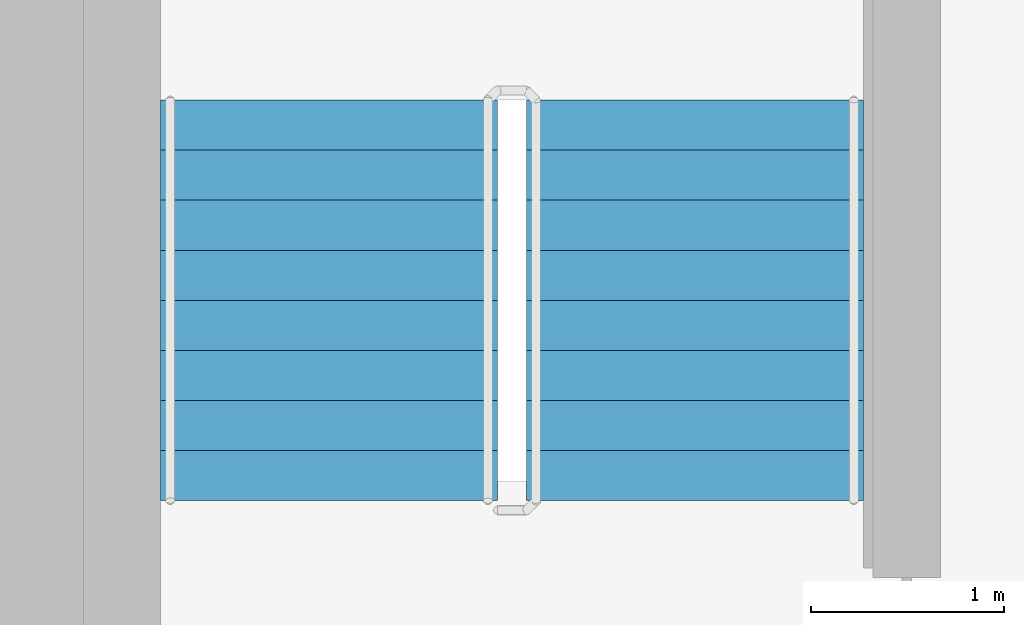
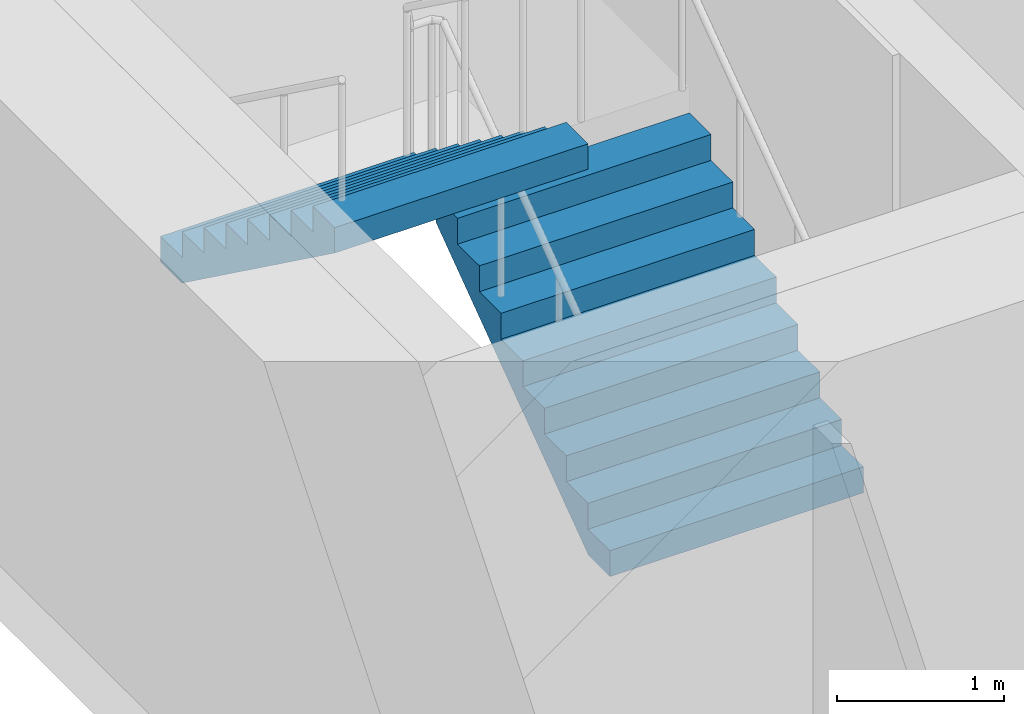
# One storey, part 17 of 20: 2 stair flights, 1 element without a shape of its own.
"""IFC4 building model written with IfcOpenShell, lengths in metres."""

from ifc_helpers import new_model, si_unit, direction, frame, origin, place, context, subcontext, project, spatial, faceted_brep, material, type_object, element, aggregate, save


model = new_model("IFC4")

# Units and contexts
model_context = context("Model", 3, precision=1e-05, world=origin(), true_north=direction((0.0, 1.0)))
body_context = subcontext(model_context, "Body", "Model", "MODEL_VIEW")
ifc_project = project(units=[si_unit("LENGTHUNIT", "METRE"), si_unit("AREAUNIT", "SQUARE_METRE"), si_unit("VOLUMEUNIT", "CUBIC_METRE"), si_unit("PLANEANGLEUNIT", "RADIAN"), si_unit("MASSUNIT", "GRAM", prefix="KILO")], contexts=[model_context])

# Site, building, storey
site_placement = place(None, origin())
site = spatial("IfcSite", under=ifc_project, at=site_placement, CompositionType="ELEMENT")
building_placement = place(site_placement, origin())
building = spatial("IfcBuilding", under=site, at=building_placement, Name="Ipe Terrace Towers", CompositionType="ELEMENT")
storey_placement = place(building_placement, frame((0.0, 0.0, 160.89990234375)))
storey = spatial("IfcBuildingStorey", under=building, at=storey_placement, Name="L44", CompositionType="ELEMENT", Elevation=160.89990234375)

# Stair, stair flights
ifc_material_1 = material(Name="Concrete C30/37", Category="concrete")
stair_type = type_object("IfcStairType", Name="Protected exit stair", PredefinedType="HALF_TURN_STAIR", material=ifc_material_1)
stair_placement = place(storey_placement, origin())
stair = element("IfcStair", 1, at=stair_placement, inside=storey, type_object=stair_type, Name="L44 Exit stair T2-C1", PredefinedType="HALF_TURN_STAIR")
ifc_material_2 = material(Name="Concrete C30/37", Category="concrete")
stair_flight_type = type_object("IfcStairFlightType", Name="Exit stair flight 1750", PredefinedType="STRAIGHT", material=ifc_material_2)
stair_flight_1_placement = place(storey_placement, frame((33.22509765625, 9.699951171875, 0.0), z_axis=(0.0, 0.0, 1.0), x_axis=(0.0, 1.0, 0.0)))
stair_flight_1 = element("IfcStairFlight", 2, at=stair_flight_1_placement, type_object=stair_flight_type, Name="T2-ST1 flight 1", NumberOfRisers=9, NumberOfTreads=8, PredefinedType="STRAIGHT", RiserHeight=0.188888889, TreadLength=0.26, context=body_context, shape_type="Brep", body=[
    faceted_brep([(0.255126953125, -0.875, 0.0), (2.080078125, -0.875, 1.325927734375), (2.080078125, -0.875, 1.51123046875), (1.820068359375, -0.875, 1.51123046875), (1.820068359375, -0.875, 1.322265625), (1.56005859375, -0.875, 1.322265625), (1.56005859375, -0.875, 1.13330078125), (1.300048828125, -0.875, 1.13330078125), (1.300048828125, -0.875, 0.9443359375), (1.0400390625, -0.875, 0.9443359375), (1.0400390625, -0.875, 0.755615234375), (0.780029296875, -0.875, 0.755615234375), (0.780029296875, -0.875, 0.566650390625), (0.52001953125, -0.875, 0.566650390625), (0.52001953125, -0.875, 0.377685546875), (0.260009765625, -0.875, 0.377685546875), (0.260009765625, -0.875, 0.18896484375), (0.0, -0.875, 0.18896484375), (0.0, -0.875, 0.0), (0.0, 0.875, 0.0), (0.0, 0.875, 0.18896484375), (0.260009765625, 0.875, 0.18896484375), (0.260009765625, 0.875, 0.377685546875), (0.52001953125, 0.875, 0.377685546875), (0.52001953125, 0.875, 0.566650390625), (0.780029296875, 0.875, 0.566650390625), (0.780029296875, 0.875, 0.755615234375), (1.0400390625, 0.875, 0.755615234375), (1.0400390625, 0.875, 0.9443359375), (1.300048828125, 0.875, 0.9443359375), (1.300048828125, 0.875, 1.13330078125), (1.56005859375, 0.875, 1.13330078125), (1.56005859375, 0.875, 1.322265625), (1.820068359375, 0.875, 1.322265625), (1.820068359375, 0.875, 1.51123046875), (2.080078125, 0.875, 1.51123046875), (2.080078125, 0.875, 1.325927734375), (0.255126953125, 0.875, 0.0), (0.0, -0.300048828125, 0.18896484375), (0.0, -0.1201171875, 0.18896484375), (0.0, -0.06005859375, 0.18896484375), (0.0, -0.030029296875, 0.18896484375), (0.0, -0.010009765625, 0.18896484375), (0.0, 0.0, 0.18896484375), (0.0, 0.010009765625, 0.18896484375), (0.0, 0.030029296875, 0.18896484375), (0.0, 0.06005859375, 0.18896484375), (0.0, 0.1201171875, 0.18896484375), (0.0, 0.300048828125, 0.18896484375), (0.0, 0.300048828125, 0.0), (0.0, 0.1201171875, 0.0), (0.0, 0.06005859375, 0.0), (0.0, 0.030029296875, 0.0), (0.0, 0.010009765625, 0.0), (0.0, 0.0, 0.0), (0.0, -0.010009765625, 0.0), (0.0, -0.030029296875, 0.0), (0.0, -0.06005859375, 0.0), (0.0, -0.1201171875, 0.0), (0.0, -0.300048828125, 0.0), (0.260009765625, -0.300048828125, 0.18896484375), (0.260009765625, -0.1201171875, 0.18896484375), (0.260009765625, -0.06005859375, 0.18896484375), (0.260009765625, -0.030029296875, 0.18896484375), (0.260009765625, -0.010009765625, 0.18896484375), (0.260009765625, 0.0, 0.18896484375), (0.260009765625, 0.010009765625, 0.18896484375), (0.260009765625, 0.030029296875, 0.18896484375), (0.260009765625, 0.06005859375, 0.18896484375), (0.260009765625, 0.1201171875, 0.18896484375), (0.260009765625, 0.300048828125, 0.18896484375), (0.260009765625, -0.300048828125, 0.377685546875), (0.260009765625, -0.1201171875, 0.377685546875), (0.260009765625, -0.06005859375, 0.377685546875), (0.260009765625, -0.030029296875, 0.377685546875), (0.260009765625, -0.010009765625, 0.377685546875), (0.260009765625, 0.0, 0.377685546875), (0.260009765625, 0.010009765625, 0.377685546875), (0.260009765625, 0.030029296875, 0.377685546875), (0.260009765625, 0.06005859375, 0.377685546875), (0.260009765625, 0.1201171875, 0.377685546875), (0.260009765625, 0.300048828125, 0.377685546875), (0.52001953125, -0.300048828125, 0.377685546875), (0.52001953125, -0.1201171875, 0.377685546875), (0.52001953125, -0.06005859375, 0.377685546875), (0.52001953125, -0.030029296875, 0.377685546875), (0.52001953125, -0.010009765625, 0.377685546875), (0.52001953125, 0.0, 0.377685546875), (0.52001953125, 0.010009765625, 0.377685546875), (0.52001953125, 0.030029296875, 0.377685546875), (0.52001953125, 0.06005859375, 0.377685546875), (0.52001953125, 0.1201171875, 0.377685546875), (0.52001953125, 0.300048828125, 0.377685546875), (0.52001953125, -0.300048828125, 0.566650390625), (0.52001953125, -0.1201171875, 0.566650390625), (0.52001953125, -0.06005859375, 0.566650390625), (0.52001953125, -0.030029296875, 0.566650390625), (0.52001953125, -0.010009765625, 0.566650390625), (0.52001953125, 0.0, 0.566650390625), (0.52001953125, 0.010009765625, 0.566650390625), (0.52001953125, 0.030029296875, 0.566650390625), (0.52001953125, 0.06005859375, 0.566650390625), (0.52001953125, 0.1201171875, 0.566650390625), (0.52001953125, 0.300048828125, 0.566650390625), (0.780029296875, -0.300048828125, 0.566650390625), (0.780029296875, -0.1201171875, 0.566650390625), (0.780029296875, -0.06005859375, 0.566650390625), (0.780029296875, -0.030029296875, 0.566650390625), (0.780029296875, -0.010009765625, 0.566650390625), (0.780029296875, 0.0, 0.566650390625), (0.780029296875, 0.010009765625, 0.566650390625), (0.780029296875, 0.030029296875, 0.566650390625), (0.780029296875, 0.06005859375, 0.566650390625), (0.780029296875, 0.1201171875, 0.566650390625), (0.780029296875, 0.300048828125, 0.566650390625), (0.780029296875, -0.300048828125, 0.755615234375), (0.780029296875, -0.1201171875, 0.755615234375), (0.780029296875, -0.06005859375, 0.755615234375), (0.780029296875, -0.030029296875, 0.755615234375), (0.780029296875, -0.010009765625, 0.755615234375), (0.780029296875, 0.0, 0.755615234375), (0.780029296875, 0.010009765625, 0.755615234375), (0.780029296875, 0.030029296875, 0.755615234375), (0.780029296875, 0.06005859375, 0.755615234375), (0.780029296875, 0.1201171875, 0.755615234375), (0.780029296875, 0.300048828125, 0.755615234375), (1.0400390625, -0.300048828125, 0.755615234375), (1.0400390625, -0.1201171875, 0.755615234375), (1.0400390625, -0.06005859375, 0.755615234375), (1.0400390625, -0.030029296875, 0.755615234375), (1.0400390625, -0.010009765625, 0.755615234375), (1.0400390625, 0.0, 0.755615234375), (1.0400390625, 0.010009765625, 0.755615234375), (1.0400390625, 0.030029296875, 0.755615234375), (1.0400390625, 0.06005859375, 0.755615234375), (1.0400390625, 0.1201171875, 0.755615234375), (1.0400390625, 0.300048828125, 0.755615234375), (1.0400390625, -0.300048828125, 0.9443359375), (1.0400390625, -0.1201171875, 0.9443359375), (1.0400390625, -0.06005859375, 0.9443359375), (1.0400390625, -0.030029296875, 0.9443359375), (1.0400390625, -0.010009765625, 0.9443359375), (1.0400390625, 0.0, 0.9443359375), (1.0400390625, 0.010009765625, 0.9443359375), (1.0400390625, 0.030029296875, 0.9443359375), (1.0400390625, 0.06005859375, 0.9443359375), (1.0400390625, 0.1201171875, 0.9443359375), (1.0400390625, 0.300048828125, 0.9443359375), (1.300048828125, -0.300048828125, 0.9443359375), (1.300048828125, -0.1201171875, 0.9443359375), (1.300048828125, -0.06005859375, 0.9443359375), (1.300048828125, -0.030029296875, 0.9443359375), (1.300048828125, -0.010009765625, 0.9443359375), (1.300048828125, 0.0, 0.9443359375), (1.300048828125, 0.010009765625, 0.9443359375), (1.300048828125, 0.030029296875, 0.9443359375), (1.300048828125, 0.06005859375, 0.9443359375), (1.300048828125, 0.1201171875, 0.9443359375), (1.300048828125, 0.300048828125, 0.9443359375), (1.300048828125, -0.300048828125, 1.13330078125), (1.300048828125, -0.1201171875, 1.13330078125), (1.300048828125, -0.06005859375, 1.13330078125), (1.300048828125, -0.030029296875, 1.13330078125), (1.300048828125, -0.010009765625, 1.13330078125), (1.300048828125, 0.0, 1.13330078125), (1.300048828125, 0.010009765625, 1.13330078125), (1.300048828125, 0.030029296875, 1.13330078125), (1.300048828125, 0.06005859375, 1.13330078125), (1.300048828125, 0.1201171875, 1.13330078125), (1.300048828125, 0.300048828125, 1.13330078125), (1.56005859375, -0.300048828125, 1.13330078125), (1.56005859375, -0.1201171875, 1.13330078125), (1.56005859375, -0.06005859375, 1.13330078125), (1.56005859375, -0.030029296875, 1.13330078125), (1.56005859375, -0.010009765625, 1.13330078125), (1.56005859375, 0.0, 1.13330078125), (1.56005859375, 0.010009765625, 1.13330078125), (1.56005859375, 0.030029296875, 1.13330078125), (1.56005859375, 0.06005859375, 1.13330078125), (1.56005859375, 0.1201171875, 1.13330078125), (1.56005859375, 0.300048828125, 1.13330078125), (1.56005859375, -0.300048828125, 1.322265625), (1.56005859375, -0.1201171875, 1.322265625), (1.56005859375, -0.06005859375, 1.322265625), (1.56005859375, -0.030029296875, 1.322265625), (1.56005859375, -0.010009765625, 1.322265625), (1.56005859375, 0.0, 1.322265625), (1.56005859375, 0.010009765625, 1.322265625), (1.56005859375, 0.030029296875, 1.322265625), (1.56005859375, 0.06005859375, 1.322265625), (1.56005859375, 0.1201171875, 1.322265625), (1.56005859375, 0.300048828125, 1.322265625), (1.820068359375, -0.300048828125, 1.322265625), (1.820068359375, -0.1201171875, 1.322265625), (1.820068359375, -0.06005859375, 1.322265625), (1.820068359375, -0.030029296875, 1.322265625), (1.820068359375, -0.010009765625, 1.322265625), (1.820068359375, 0.0, 1.322265625), (1.820068359375, 0.010009765625, 1.322265625), (1.820068359375, 0.030029296875, 1.322265625), (1.820068359375, 0.06005859375, 1.322265625), (1.820068359375, 0.1201171875, 1.322265625), (1.820068359375, 0.300048828125, 1.322265625), (1.820068359375, -0.300048828125, 1.51123046875), (1.820068359375, -0.1201171875, 1.51123046875), (1.820068359375, -0.06005859375, 1.51123046875), (1.820068359375, -0.030029296875, 1.51123046875), (1.820068359375, -0.010009765625, 1.51123046875), (1.820068359375, 0.0, 1.51123046875), (1.820068359375, 0.010009765625, 1.51123046875), (1.820068359375, 0.030029296875, 1.51123046875), (1.820068359375, 0.06005859375, 1.51123046875), (1.820068359375, 0.1201171875, 1.51123046875), (1.820068359375, 0.300048828125, 1.51123046875), (2.080078125, -0.300048828125, 1.51123046875), (2.080078125, -0.1201171875, 1.51123046875), (2.080078125, -0.06005859375, 1.51123046875), (2.080078125, -0.030029296875, 1.51123046875), (2.080078125, -0.010009765625, 1.51123046875), (2.080078125, 0.0, 1.51123046875), (2.080078125, 0.010009765625, 1.51123046875), (2.080078125, 0.030029296875, 1.51123046875), (2.080078125, 0.06005859375, 1.51123046875), (2.080078125, 0.1201171875, 1.51123046875), (2.080078125, 0.300048828125, 1.51123046875), (2.080078125, -0.300048828125, 1.325927734375), (2.080078125, -0.1201171875, 1.325927734375), (2.080078125, -0.06005859375, 1.325927734375), (2.080078125, -0.030029296875, 1.325927734375), (2.080078125, -0.010009765625, 1.325927734375), (2.080078125, 0.0, 1.325927734375), (2.080078125, 0.010009765625, 1.325927734375), (2.080078125, 0.030029296875, 1.325927734375), (2.080078125, 0.06005859375, 1.325927734375), (2.080078125, 0.1201171875, 1.325927734375), (2.080078125, 0.300048828125, 1.325927734375), (0.255126953125, -0.300048828125, 0.0), (0.255126953125, -0.1201171875, 0.0), (0.255126953125, -0.06005859375, 0.0), (0.255126953125, -0.030029296875, 0.0), (0.255126953125, -0.010009765625, 0.0), (0.255126953125, 0.0, 0.0), (0.255126953125, 0.010009765625, 0.0), (0.255126953125, 0.030029296875, 0.0), (0.255126953125, 0.06005859375, 0.0), (0.255126953125, 0.1201171875, 0.0), (0.255126953125, 0.300048828125, 0.0)], [[[0, 1, 2, 3, 4, 5, 6, 7, 8, 9, 10, 11, 12, 13, 14, 15, 16, 17, 18]], [[19, 20, 21, 22, 23, 24, 25, 26, 27, 28, 29, 30, 31, 32, 33, 34, 35, 36, 37]], [[17, 38, 39, 40, 41, 42, 43, 44, 45, 46, 47, 48, 20, 19, 49, 50, 51, 52, 53, 54, 55, 56, 57, 58, 59, 18]], [[16, 60, 61, 62, 63, 64, 65, 66, 67, 68, 69, 70, 21, 20, 48, 47, 46, 45, 44, 43, 42, 41, 40, 39, 38, 17]], [[15, 71, 72, 73, 74, 75, 76, 77, 78, 79, 80, 81, 22, 21, 70, 69, 68, 67, 66, 65, 64, 63, 62, 61, 60, 16]], [[14, 82, 83, 84, 85, 86, 87, 88, 89, 90, 91, 92, 23, 22, 81, 80, 79, 78, 77, 76, 75, 74, 73, 72, 71, 15]], [[13, 93, 94, 95, 96, 97, 98, 99, 100, 101, 102, 103, 24, 23, 92, 91, 90, 89, 88, 87, 86, 85, 84, 83, 82, 14]], [[12, 104, 105, 106, 107, 108, 109, 110, 111, 112, 113, 114, 25, 24, 103, 102, 101, 100, 99, 98, 97, 96, 95, 94, 93, 13]], [[11, 115, 116, 117, 118, 119, 120, 121, 122, 123, 124, 125, 26, 25, 114, 113, 112, 111, 110, 109, 108, 107, 106, 105, 104, 12]], [[10, 126, 127, 128, 129, 130, 131, 132, 133, 134, 135, 136, 27, 26, 125, 124, 123, 122, 121, 120, 119, 118, 117, 116, 115, 11]], [[9, 137, 138, 139, 140, 141, 142, 143, 144, 145, 146, 147, 28, 27, 136, 135, 134, 133, 132, 131, 130, 129, 128, 127, 126, 10]], [[8, 148, 149, 150, 151, 152, 153, 154, 155, 156, 157, 158, 29, 28, 147, 146, 145, 144, 143, 142, 141, 140, 139, 138, 137, 9]], [[7, 159, 160, 161, 162, 163, 164, 165, 166, 167, 168, 169, 30, 29, 158, 157, 156, 155, 154, 153, 152, 151, 150, 149, 148, 8]], [[6, 170, 171, 172, 173, 174, 175, 176, 177, 178, 179, 180, 31, 30, 169, 168, 167, 166, 165, 164, 163, 162, 161, 160, 159, 7]], [[5, 181, 182, 183, 184, 185, 186, 187, 188, 189, 190, 191, 32, 31, 180, 179, 178, 177, 176, 175, 174, 173, 172, 171, 170, 6]], [[4, 192, 193, 194, 195, 196, 197, 198, 199, 200, 201, 202, 33, 32, 191, 190, 189, 188, 187, 186, 185, 184, 183, 182, 181, 5]], [[3, 203, 204, 205, 206, 207, 208, 209, 210, 211, 212, 213, 34, 33, 202, 201, 200, 199, 198, 197, 196, 195, 194, 193, 192, 4]], [[2, 214, 215, 216, 217, 218, 219, 220, 221, 222, 223, 224, 35, 34, 213, 212, 211, 210, 209, 208, 207, 206, 205, 204, 203, 3]], [[1, 225, 226, 227, 228, 229, 230, 231, 232, 233, 234, 235, 36, 35, 224, 223, 222, 221, 220, 219, 218, 217, 216, 215, 214, 2]], [[0, 236, 237, 238, 239, 240, 241, 242, 243, 244, 245, 246, 37, 36, 235, 234, 233, 232, 231, 230, 229, 228, 227, 226, 225, 1]], [[18, 59, 58, 57, 56, 55, 54, 53, 52, 51, 50, 49, 19, 37, 246, 245, 244, 243, 242, 241, 240, 239, 238, 237, 236, 0]]]),
])
stair_flight_2_placement = place(storey_placement, frame((31.324951171875, 11.780029296875, 1.7001953125), z_axis=(0.0, 0.0, 1.0), x_axis=(0.0, -1.0, 0.0)))
stair_flight_2 = element("IfcStairFlight", 3, at=stair_flight_2_placement, type_object=stair_flight_type, Name="T2-ST1 flight 2", NumberOfRisers=9, NumberOfTreads=8, PredefinedType="STRAIGHT", RiserHeight=0.188888889, TreadLength=0.26, context=body_context, shape_type="Brep", body=[
    faceted_brep([(0.255126953125, -0.875, 0.0), (2.080078125, -0.875, 1.325927734375), (2.080078125, -0.875, 1.51123046875), (1.820068359375, -0.875, 1.51123046875), (1.820068359375, -0.875, 1.322265625), (1.56005859375, -0.875, 1.322265625), (1.56005859375, -0.875, 1.13330078125), (1.300048828125, -0.875, 1.13330078125), (1.300048828125, -0.875, 0.9443359375), (1.0400390625, -0.875, 0.9443359375), (1.0400390625, -0.875, 0.755615234375), (0.780029296875, -0.875, 0.755615234375), (0.780029296875, -0.875, 0.566650390625), (0.52001953125, -0.875, 0.566650390625), (0.52001953125, -0.875, 0.377685546875), (0.260009765625, -0.875, 0.377685546875), (0.260009765625, -0.875, 0.18896484375), (0.0, -0.875, 0.18896484375), (0.0, -0.875, 0.0), (0.0, 0.875, 0.0), (0.0, 0.875, 0.18896484375), (0.260009765625, 0.875, 0.18896484375), (0.260009765625, 0.875, 0.377685546875), (0.52001953125, 0.875, 0.377685546875), (0.52001953125, 0.875, 0.566650390625), (0.780029296875, 0.875, 0.566650390625), (0.780029296875, 0.875, 0.755615234375), (1.0400390625, 0.875, 0.755615234375), (1.0400390625, 0.875, 0.9443359375), (1.300048828125, 0.875, 0.9443359375), (1.300048828125, 0.875, 1.13330078125), (1.56005859375, 0.875, 1.13330078125), (1.56005859375, 0.875, 1.322265625), (1.820068359375, 0.875, 1.322265625), (1.820068359375, 0.875, 1.51123046875), (2.080078125, 0.875, 1.51123046875), (2.080078125, 0.875, 1.325927734375), (0.255126953125, 0.875, 0.0), (0.0, -0.300048828125, 0.18896484375), (0.0, -0.1201171875, 0.18896484375), (0.0, -0.06005859375, 0.18896484375), (0.0, -0.030029296875, 0.18896484375), (0.0, -0.010009765625, 0.18896484375), (0.0, 0.0, 0.18896484375), (0.0, 0.010009765625, 0.18896484375), (0.0, 0.030029296875, 0.18896484375), (0.0, 0.06005859375, 0.18896484375), (0.0, 0.1201171875, 0.18896484375), (0.0, 0.300048828125, 0.18896484375), (0.0, 0.300048828125, 0.0), (0.0, 0.1201171875, 0.0), (0.0, 0.06005859375, 0.0), (0.0, 0.030029296875, 0.0), (0.0, 0.010009765625, 0.0), (0.0, 0.0, 0.0), (0.0, -0.010009765625, 0.0), (0.0, -0.030029296875, 0.0), (0.0, -0.06005859375, 0.0), (0.0, -0.1201171875, 0.0), (0.0, -0.300048828125, 0.0), (0.260009765625, -0.300048828125, 0.18896484375), (0.260009765625, -0.1201171875, 0.18896484375), (0.260009765625, -0.06005859375, 0.18896484375), (0.260009765625, -0.030029296875, 0.18896484375), (0.260009765625, -0.010009765625, 0.18896484375), (0.260009765625, 0.0, 0.18896484375), (0.260009765625, 0.010009765625, 0.18896484375), (0.260009765625, 0.030029296875, 0.18896484375), (0.260009765625, 0.06005859375, 0.18896484375), (0.260009765625, 0.1201171875, 0.18896484375), (0.260009765625, 0.300048828125, 0.18896484375), (0.260009765625, -0.300048828125, 0.377685546875), (0.260009765625, -0.1201171875, 0.377685546875), (0.260009765625, -0.06005859375, 0.377685546875), (0.260009765625, -0.030029296875, 0.377685546875), (0.260009765625, -0.010009765625, 0.377685546875), (0.260009765625, 0.0, 0.377685546875), (0.260009765625, 0.010009765625, 0.377685546875), (0.260009765625, 0.030029296875, 0.377685546875), (0.260009765625, 0.06005859375, 0.377685546875), (0.260009765625, 0.1201171875, 0.377685546875), (0.260009765625, 0.300048828125, 0.377685546875), (0.52001953125, -0.300048828125, 0.377685546875), (0.52001953125, -0.1201171875, 0.377685546875), (0.52001953125, -0.06005859375, 0.377685546875), (0.52001953125, -0.030029296875, 0.377685546875), (0.52001953125, -0.010009765625, 0.377685546875), (0.52001953125, 0.0, 0.377685546875), (0.52001953125, 0.010009765625, 0.377685546875), (0.52001953125, 0.030029296875, 0.377685546875), (0.52001953125, 0.06005859375, 0.377685546875), (0.52001953125, 0.1201171875, 0.377685546875), (0.52001953125, 0.300048828125, 0.377685546875), (0.52001953125, -0.300048828125, 0.566650390625), (0.52001953125, -0.1201171875, 0.566650390625), (0.52001953125, -0.06005859375, 0.566650390625), (0.52001953125, -0.030029296875, 0.566650390625), (0.52001953125, -0.010009765625, 0.566650390625), (0.52001953125, 0.0, 0.566650390625), (0.52001953125, 0.010009765625, 0.566650390625), (0.52001953125, 0.030029296875, 0.566650390625), (0.52001953125, 0.06005859375, 0.566650390625), (0.52001953125, 0.1201171875, 0.566650390625), (0.52001953125, 0.300048828125, 0.566650390625), (0.780029296875, -0.300048828125, 0.566650390625), (0.780029296875, -0.1201171875, 0.566650390625), (0.780029296875, -0.06005859375, 0.566650390625), (0.780029296875, -0.030029296875, 0.566650390625), (0.780029296875, -0.010009765625, 0.566650390625), (0.780029296875, 0.0, 0.566650390625), (0.780029296875, 0.010009765625, 0.566650390625), (0.780029296875, 0.030029296875, 0.566650390625), (0.780029296875, 0.06005859375, 0.566650390625), (0.780029296875, 0.1201171875, 0.566650390625), (0.780029296875, 0.300048828125, 0.566650390625), (0.780029296875, -0.300048828125, 0.755615234375), (0.780029296875, -0.1201171875, 0.755615234375), (0.780029296875, -0.06005859375, 0.755615234375), (0.780029296875, -0.030029296875, 0.755615234375), (0.780029296875, -0.010009765625, 0.755615234375), (0.780029296875, 0.0, 0.755615234375), (0.780029296875, 0.010009765625, 0.755615234375), (0.780029296875, 0.030029296875, 0.755615234375), (0.780029296875, 0.06005859375, 0.755615234375), (0.780029296875, 0.1201171875, 0.755615234375), (0.780029296875, 0.300048828125, 0.755615234375), (1.0400390625, -0.300048828125, 0.755615234375), (1.0400390625, -0.1201171875, 0.755615234375), (1.0400390625, -0.06005859375, 0.755615234375), (1.0400390625, -0.030029296875, 0.755615234375), (1.0400390625, -0.010009765625, 0.755615234375), (1.0400390625, 0.0, 0.755615234375), (1.0400390625, 0.010009765625, 0.755615234375), (1.0400390625, 0.030029296875, 0.755615234375), (1.0400390625, 0.06005859375, 0.755615234375), (1.0400390625, 0.1201171875, 0.755615234375), (1.0400390625, 0.300048828125, 0.755615234375), (1.0400390625, -0.300048828125, 0.9443359375), (1.0400390625, -0.1201171875, 0.9443359375), (1.0400390625, -0.06005859375, 0.9443359375), (1.0400390625, -0.030029296875, 0.9443359375), (1.0400390625, -0.010009765625, 0.9443359375), (1.0400390625, 0.0, 0.9443359375), (1.0400390625, 0.010009765625, 0.9443359375), (1.0400390625, 0.030029296875, 0.9443359375), (1.0400390625, 0.06005859375, 0.9443359375), (1.0400390625, 0.1201171875, 0.9443359375), (1.0400390625, 0.300048828125, 0.9443359375), (1.300048828125, -0.300048828125, 0.9443359375), (1.300048828125, -0.1201171875, 0.9443359375), (1.300048828125, -0.06005859375, 0.9443359375), (1.300048828125, -0.030029296875, 0.9443359375), (1.300048828125, -0.010009765625, 0.9443359375), (1.300048828125, 0.0, 0.9443359375), (1.300048828125, 0.010009765625, 0.9443359375), (1.300048828125, 0.030029296875, 0.9443359375), (1.300048828125, 0.06005859375, 0.9443359375), (1.300048828125, 0.1201171875, 0.9443359375), (1.300048828125, 0.300048828125, 0.9443359375), (1.300048828125, -0.300048828125, 1.13330078125), (1.300048828125, -0.1201171875, 1.13330078125), (1.300048828125, -0.06005859375, 1.13330078125), (1.300048828125, -0.030029296875, 1.13330078125), (1.300048828125, -0.010009765625, 1.13330078125), (1.300048828125, 0.0, 1.13330078125), (1.300048828125, 0.010009765625, 1.13330078125), (1.300048828125, 0.030029296875, 1.13330078125), (1.300048828125, 0.06005859375, 1.13330078125), (1.300048828125, 0.1201171875, 1.13330078125), (1.300048828125, 0.300048828125, 1.13330078125), (1.56005859375, -0.300048828125, 1.13330078125), (1.56005859375, -0.1201171875, 1.13330078125), (1.56005859375, -0.06005859375, 1.13330078125), (1.56005859375, -0.030029296875, 1.13330078125), (1.56005859375, -0.010009765625, 1.13330078125), (1.56005859375, 0.0, 1.13330078125), (1.56005859375, 0.010009765625, 1.13330078125), (1.56005859375, 0.030029296875, 1.13330078125), (1.56005859375, 0.06005859375, 1.13330078125), (1.56005859375, 0.1201171875, 1.13330078125), (1.56005859375, 0.300048828125, 1.13330078125), (1.56005859375, -0.300048828125, 1.322265625), (1.56005859375, -0.1201171875, 1.322265625), (1.56005859375, -0.06005859375, 1.322265625), (1.56005859375, -0.030029296875, 1.322265625), (1.56005859375, -0.010009765625, 1.322265625), (1.56005859375, 0.0, 1.322265625), (1.56005859375, 0.010009765625, 1.322265625), (1.56005859375, 0.030029296875, 1.322265625), (1.56005859375, 0.06005859375, 1.322265625), (1.56005859375, 0.1201171875, 1.322265625), (1.56005859375, 0.300048828125, 1.322265625), (1.820068359375, -0.300048828125, 1.322265625), (1.820068359375, -0.1201171875, 1.322265625), (1.820068359375, -0.06005859375, 1.322265625), (1.820068359375, -0.030029296875, 1.322265625), (1.820068359375, -0.010009765625, 1.322265625), (1.820068359375, 0.0, 1.322265625), (1.820068359375, 0.010009765625, 1.322265625), (1.820068359375, 0.030029296875, 1.322265625), (1.820068359375, 0.06005859375, 1.322265625), (1.820068359375, 0.1201171875, 1.322265625), (1.820068359375, 0.300048828125, 1.322265625), (1.820068359375, -0.300048828125, 1.51123046875), (1.820068359375, -0.1201171875, 1.51123046875), (1.820068359375, -0.06005859375, 1.51123046875), (1.820068359375, -0.030029296875, 1.51123046875), (1.820068359375, -0.010009765625, 1.51123046875), (1.820068359375, 0.0, 1.51123046875), (1.820068359375, 0.010009765625, 1.51123046875), (1.820068359375, 0.030029296875, 1.51123046875), (1.820068359375, 0.06005859375, 1.51123046875), (1.820068359375, 0.1201171875, 1.51123046875), (1.820068359375, 0.300048828125, 1.51123046875), (2.080078125, -0.300048828125, 1.51123046875), (2.080078125, -0.1201171875, 1.51123046875), (2.080078125, -0.06005859375, 1.51123046875), (2.080078125, -0.030029296875, 1.51123046875), (2.080078125, -0.010009765625, 1.51123046875), (2.080078125, 0.0, 1.51123046875), (2.080078125, 0.010009765625, 1.51123046875), (2.080078125, 0.030029296875, 1.51123046875), (2.080078125, 0.06005859375, 1.51123046875), (2.080078125, 0.1201171875, 1.51123046875), (2.080078125, 0.300048828125, 1.51123046875), (2.080078125, -0.300048828125, 1.325927734375), (2.080078125, -0.1201171875, 1.325927734375), (2.080078125, -0.06005859375, 1.325927734375), (2.080078125, -0.030029296875, 1.325927734375), (2.080078125, -0.010009765625, 1.325927734375), (2.080078125, 0.0, 1.325927734375), (2.080078125, 0.010009765625, 1.325927734375), (2.080078125, 0.030029296875, 1.325927734375), (2.080078125, 0.06005859375, 1.325927734375), (2.080078125, 0.1201171875, 1.325927734375), (2.080078125, 0.300048828125, 1.325927734375), (0.255126953125, -0.300048828125, 0.0), (0.255126953125, -0.1201171875, 0.0), (0.255126953125, -0.06005859375, 0.0), (0.255126953125, -0.030029296875, 0.0), (0.255126953125, -0.010009765625, 0.0), (0.255126953125, 0.0, 0.0), (0.255126953125, 0.010009765625, 0.0), (0.255126953125, 0.030029296875, 0.0), (0.255126953125, 0.06005859375, 0.0), (0.255126953125, 0.1201171875, 0.0), (0.255126953125, 0.300048828125, 0.0)], [[[0, 1, 2, 3, 4, 5, 6, 7, 8, 9, 10, 11, 12, 13, 14, 15, 16, 17, 18]], [[19, 20, 21, 22, 23, 24, 25, 26, 27, 28, 29, 30, 31, 32, 33, 34, 35, 36, 37]], [[17, 38, 39, 40, 41, 42, 43, 44, 45, 46, 47, 48, 20, 19, 49, 50, 51, 52, 53, 54, 55, 56, 57, 58, 59, 18]], [[16, 60, 61, 62, 63, 64, 65, 66, 67, 68, 69, 70, 21, 20, 48, 47, 46, 45, 44, 43, 42, 41, 40, 39, 38, 17]], [[15, 71, 72, 73, 74, 75, 76, 77, 78, 79, 80, 81, 22, 21, 70, 69, 68, 67, 66, 65, 64, 63, 62, 61, 60, 16]], [[14, 82, 83, 84, 85, 86, 87, 88, 89, 90, 91, 92, 23, 22, 81, 80, 79, 78, 77, 76, 75, 74, 73, 72, 71, 15]], [[13, 93, 94, 95, 96, 97, 98, 99, 100, 101, 102, 103, 24, 23, 92, 91, 90, 89, 88, 87, 86, 85, 84, 83, 82, 14]], [[12, 104, 105, 106, 107, 108, 109, 110, 111, 112, 113, 114, 25, 24, 103, 102, 101, 100, 99, 98, 97, 96, 95, 94, 93, 13]], [[11, 115, 116, 117, 118, 119, 120, 121, 122, 123, 124, 125, 26, 25, 114, 113, 112, 111, 110, 109, 108, 107, 106, 105, 104, 12]], [[10, 126, 127, 128, 129, 130, 131, 132, 133, 134, 135, 136, 27, 26, 125, 124, 123, 122, 121, 120, 119, 118, 117, 116, 115, 11]], [[9, 137, 138, 139, 140, 141, 142, 143, 144, 145, 146, 147, 28, 27, 136, 135, 134, 133, 132, 131, 130, 129, 128, 127, 126, 10]], [[8, 148, 149, 150, 151, 152, 153, 154, 155, 156, 157, 158, 29, 28, 147, 146, 145, 144, 143, 142, 141, 140, 139, 138, 137, 9]], [[7, 159, 160, 161, 162, 163, 164, 165, 166, 167, 168, 169, 30, 29, 158, 157, 156, 155, 154, 153, 152, 151, 150, 149, 148, 8]], [[6, 170, 171, 172, 173, 174, 175, 176, 177, 178, 179, 180, 31, 30, 169, 168, 167, 166, 165, 164, 163, 162, 161, 160, 159, 7]], [[5, 181, 182, 183, 184, 185, 186, 187, 188, 189, 190, 191, 32, 31, 180, 179, 178, 177, 176, 175, 174, 173, 172, 171, 170, 6]], [[4, 192, 193, 194, 195, 196, 197, 198, 199, 200, 201, 202, 33, 32, 191, 190, 189, 188, 187, 186, 185, 184, 183, 182, 181, 5]], [[3, 203, 204, 205, 206, 207, 208, 209, 210, 211, 212, 213, 34, 33, 202, 201, 200, 199, 198, 197, 196, 195, 194, 193, 192, 4]], [[2, 214, 215, 216, 217, 218, 219, 220, 221, 222, 223, 224, 35, 34, 213, 212, 211, 210, 209, 208, 207, 206, 205, 204, 203, 3]], [[1, 225, 226, 227, 228, 229, 230, 231, 232, 233, 234, 235, 36, 35, 224, 223, 222, 221, 220, 219, 218, 217, 216, 215, 214, 2]], [[0, 236, 237, 238, 239, 240, 241, 242, 243, 244, 245, 246, 37, 36, 235, 234, 233, 232, 231, 230, 229, 228, 227, 226, 225, 1]], [[18, 59, 58, 57, 56, 55, 54, 53, 52, 51, 50, 49, 19, 37, 246, 245, 244, 243, 242, 241, 240, 239, 238, 237, 236, 0]]]),
])
aggregate(stair, [stair_flight_1, stair_flight_2])

save(model, "model.ifc")
